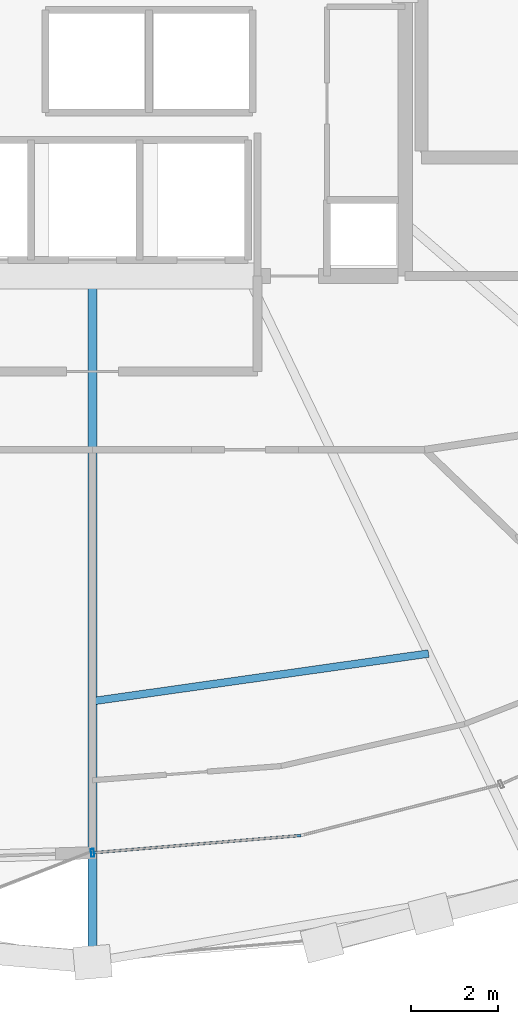
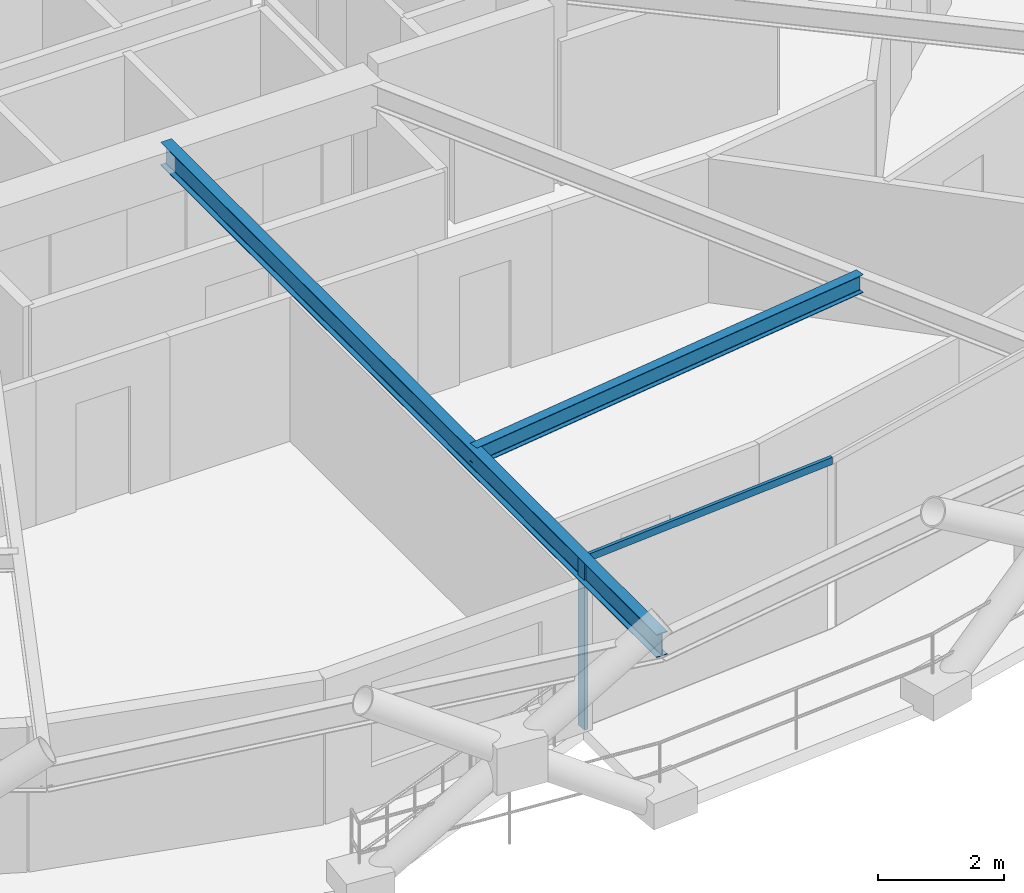
# One storey, part 2 of 16: 2 beams, 2 members, 1 element without a shape of its own.
"""IFC4 building model written with IfcOpenShell, lengths in metres."""

from ifc_helpers import new_model, si_unit, direction, frame, origin, origin_2d, place, context, subcontext, project, spatial, hollow_rectangle, i_section, extrude, material, layer, layer_set, material_profile, profile_set, type_object, element, aggregate, save


model = new_model("IFC4")

# Units and contexts
model_context = context("Model", 3, precision=1e-05, world=origin(), true_north=direction((0.0, 1.0)))
body_context = subcontext(model_context, "Body", "Model", "MODEL_VIEW")
ifc_project = project(units=[si_unit("LENGTHUNIT", "METRE"), si_unit("AREAUNIT", "SQUARE_METRE"), si_unit("VOLUMEUNIT", "CUBIC_METRE"), si_unit("PLANEANGLEUNIT", "RADIAN"), si_unit("MASSUNIT", "GRAM", prefix="KILO")], contexts=[model_context])

# Site, building, storey
site_placement = place(None, origin())
site = spatial("IfcSite", under=ifc_project, at=site_placement, CompositionType="ELEMENT")
building_placement = place(site_placement, origin())
building = spatial("IfcBuilding", under=site, at=building_placement, Name="Veldorina Hangang Commons", CompositionType="ELEMENT")
storey_placement = place(building_placement, frame((0.0, 0.0, 189.199951171875)))
storey = spatial("IfcBuildingStorey", under=building, at=storey_placement, Name="L49", CompositionType="ELEMENT", Elevation=189.199951171875)

# Beams
ifc_material_1 = material(Name="Steel SM355-TMC", Category="steel")
ifc_material_profile_1 = material_profile(ifc_material_1, i_section(OverallWidth=0.199951171875, OverallDepth=0.449951171875, WebThickness=0.009033203125, FlangeThickness=0.013916015625, FilletRadius=0.01611328125, at=origin_2d()), Name="H-450x200x9x14")
ifc_profile_set_1 = profile_set([ifc_material_profile_1], Name="Steel SM355-TMC")
beam_type_1 = type_object("IfcBeamType", Name="BM-FG450", PredefinedType="BEAM", material=ifc_profile_set_1)
beam_1_placement = place(storey_placement, frame((32.0, 16.550048828125, 3.125), z_axis=(0.0, -1.0, 0.0), x_axis=(1.0, 0.0, 0.0)))
element("IfcBeam", 1, at=beam_1_placement, inside=storey, type_object=beam_type_1, Name="L49 radial floor girder 13", PredefinedType="BEAM", context=body_context, shape_type="SweptSolid", body=[
    extrude(i_section(OverallWidth=0.199951171875, OverallDepth=0.449951171875, WebThickness=0.009033203125, FlangeThickness=0.013916015625, FilletRadius=0.01611328125, at=origin_2d()), origin(), (0.0, 0.0, 1.0), 15.791259765625),
])
ifc_material_profile_2 = material_profile(ifc_material_1, i_section(OverallWidth=0.175048828125, OverallDepth=0.35009765625, WebThickness=0.007080078125, FlangeThickness=0.010986328125, FilletRadius=0.012939453125, at=origin_2d()), Name="H-350x175x7x11")
ifc_profile_set_2 = profile_set([ifc_material_profile_2], Name="Steel SM355-TMC")
beam_type_2 = type_object("IfcBeamType", Name="BM-JST350", PredefinedType="JOIST", material=ifc_profile_set_2)
beam_2_placement = place(storey_placement, frame((32.0, 6.759521484375, 3.175048828125), z_axis=(0.990100746556, 0.14035851121, 0.0), x_axis=(-0.14035851121, 0.990100746556, 0.0)))
element("IfcBeam", 2, at=beam_2_placement, inside=storey, type_object=beam_type_2, Name="L49 secondary floor joist 13", PredefinedType="JOIST", context=body_context, shape_type="SweptSolid", body=[
    extrude(i_section(OverallWidth=0.175048828125, OverallDepth=0.35009765625, WebThickness=0.007080078125, FlangeThickness=0.010986328125, FilletRadius=0.012939453125, at=origin_2d()), origin(), (0.0, 0.0, 1.0), 7.815185546875),
])

# Curtain wall, members
ifc_material_2 = material(Name="Glass Low-E Triple IGU", Category="glass")
ifc_layer = layer(ifc_material_2, 0.179931640625)
ifc_layer_set = layer_set([ifc_layer], Name="Glass Low-E Triple IGU")
curtain_wall_type = type_object("IfcCurtainWallType", Name="CW-SYS-Z2", PredefinedType="NOTDEFINED", material=ifc_layer_set)
curtain_wall_placement = place(storey_placement, origin())
curtain_wall = element("IfcCurtainWall", 3, at=curtain_wall_placement, inside=storey, type_object=curtain_wall_type, Name="L49 unitised curtain wall CW-L49-R1", PredefinedType="NOTDEFINED")
ifc_material_3 = material(Name="Aluminium Anodized AA6063-T6", Category="aluminium")
ifc_material_profile_3 = material_profile(ifc_material_3, hollow_rectangle(XDim=0.070068359375, YDim=0.179931640625, WallThickness=0.00390625, at=origin_2d()), Name="ALU-RHS-180x70x4")
ifc_profile_set_3 = profile_set([ifc_material_profile_3], Name="Aluminium Anodized AA6063-T6")
member_type_1 = type_object("IfcMemberType", Name="CW-MUL-180", PredefinedType="MULLION", material=ifc_profile_set_3)
member_1_placement = place(storey_placement, frame((32.0, 3.2685546875, 0.0), z_axis=(0.0, 0.0, 1.0), x_axis=(0.996569836959, 0.082756027351, 0.0)))
member_1 = element("IfcMember", 4, at=member_1_placement, type_object=member_type_1, Name="CW-L49-R1 vertical mullion 1", PredefinedType="MULLION", context=body_context, shape_type="SweptSolid", body=[
    extrude(hollow_rectangle(XDim=0.070068359375, YDim=0.179931640625, WallThickness=0.00390625, at=origin_2d()), origin(), (0.0, 0.0, 1.0), 3.31005859375),
])
ifc_material_profile_4 = material_profile(ifc_material_3, hollow_rectangle(XDim=0.06005859375, YDim=0.139892578125, WallThickness=0.00341796875, at=origin_2d()), Name="ALU-RHS-140x60x3.5")
ifc_profile_set_4 = profile_set([ifc_material_profile_4], Name="Aluminium Anodized AA6063-T6")
member_type_2 = type_object("IfcMemberType", Name="CW-TRN-140", PredefinedType="USERDEFINED", material=ifc_profile_set_4)
member_2_placement = place(storey_placement, frame((32.0, 3.2685546875, 3.27001953125), z_axis=(0.996571250548, 0.082739002782, 0.0), x_axis=(-0.082739002782, 0.996571250548, 0.0)))
member_2 = element("IfcMember", 5, at=member_2_placement, type_object=member_type_2, Name="CW-L49-R1 facet 1 transom 1", ObjectType="TRANSOM", PredefinedType="USERDEFINED", context=body_context, shape_type="SweptSolid", body=[
    extrude(hollow_rectangle(XDim=0.06005859375, YDim=0.139892578125, WallThickness=0.00341796875, at=origin_2d()), origin(), (0.0, 0.0, 1.0), 4.812744140625),
])
aggregate(curtain_wall, [member_1, member_2])

save(model, "model.ifc")
